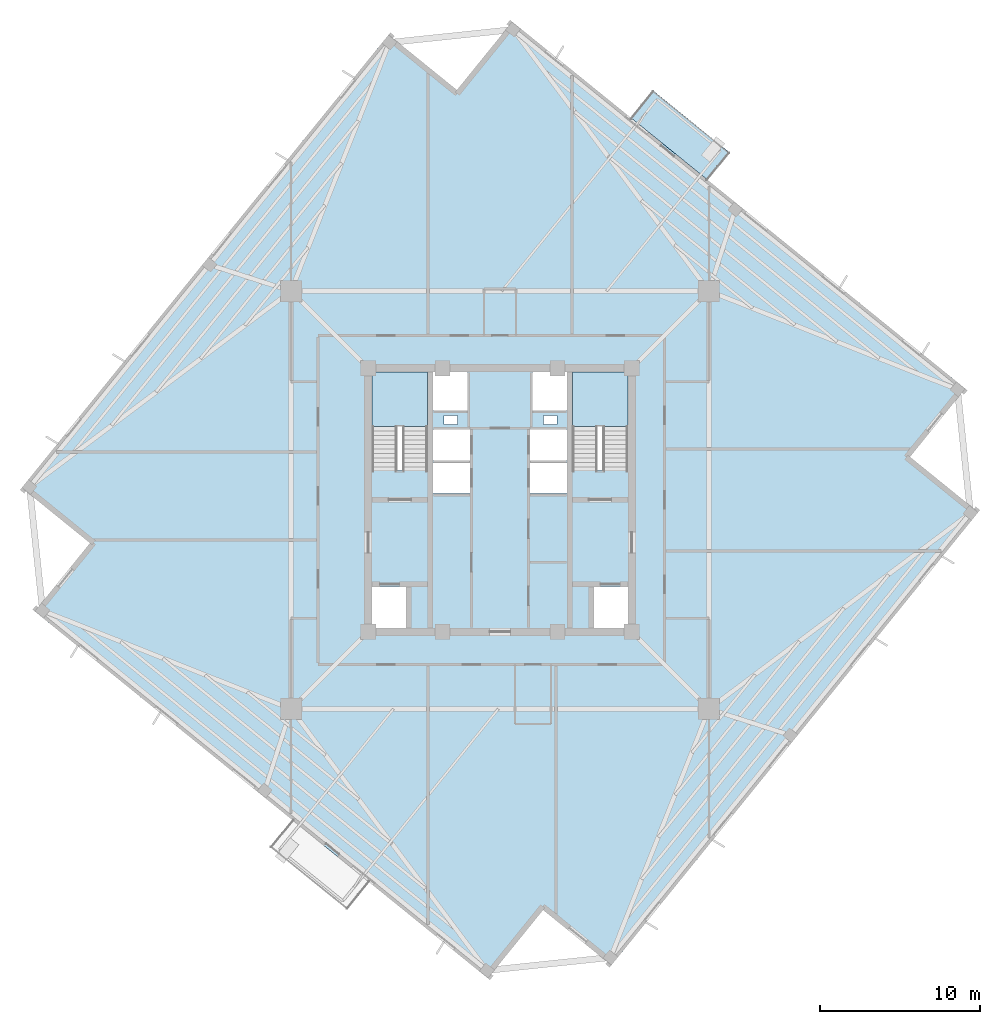
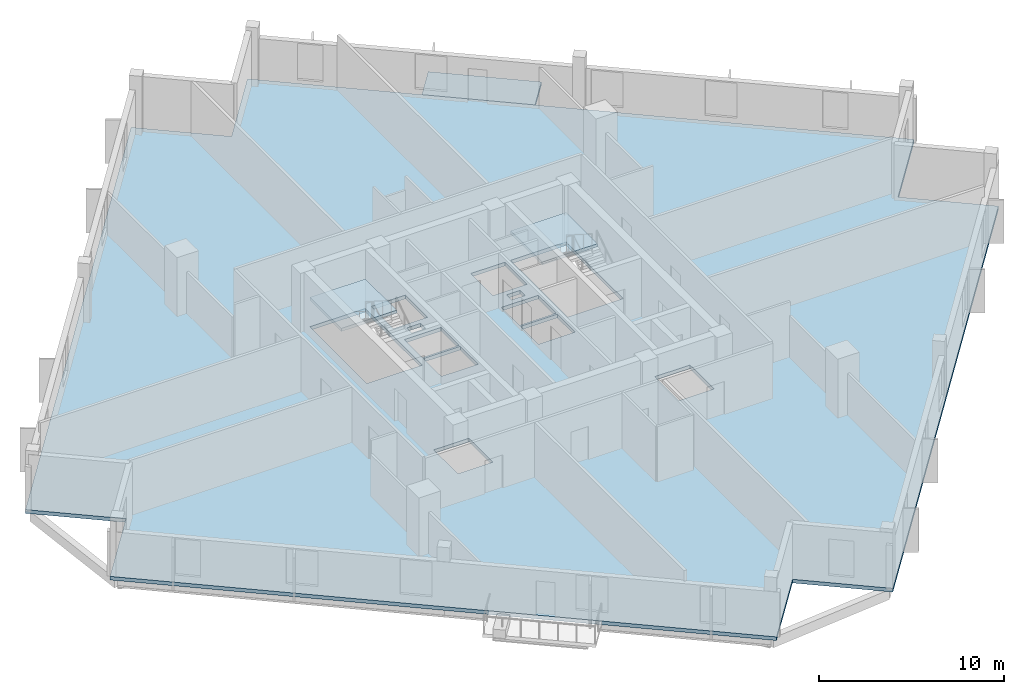
# One storey, part 2 of 10: 4 slabs, 2 elements without a shape of their own.
"""IFC4 building model written with IfcOpenShell, lengths in metres."""

from ifc_helpers import new_model, si_unit, direction, frame, origin, place, context, subcontext, project, spatial, polyline, outline, extrude, material, layer, layer_set, type_object, element, aggregate, save


model = new_model("IFC4")

# Units and contexts
model_context = context("Model", 3, precision=1e-05, world=origin(), true_north=direction((0.0, 1.0)))
body_context = subcontext(model_context, "Body", "Model", "MODEL_VIEW")
ifc_project = project(units=[si_unit("LENGTHUNIT", "METRE"), si_unit("AREAUNIT", "SQUARE_METRE"), si_unit("VOLUMEUNIT", "CUBIC_METRE"), si_unit("PLANEANGLEUNIT", "RADIAN"), si_unit("MASSUNIT", "GRAM", prefix="KILO"), si_unit("THERMODYNAMICTEMPERATUREUNIT", "KELVIN")], contexts=[model_context])

# Site, building, storey
site_placement = place(None, origin())
site = spatial("IfcSite", under=ifc_project, at=site_placement, CompositionType="ELEMENT")
building_placement = place(site_placement, origin())
building = spatial("IfcBuilding", under=site, at=building_placement, Name="Kosmvard Interchange Tower", CompositionType="ELEMENT")
storey_placement = place(building_placement, frame((0.0, 0.0, 240.699951171875)))
storey = spatial("IfcBuildingStorey", under=building, at=storey_placement, Name="L58", CompositionType="ELEMENT", Elevation=240.699951171875)

# Slab
ifc_material = material(Name="Concrete C50/60", Category="concrete")
ifc_layer_1 = layer(ifc_material, 0.239990234375, Name="Concrete C50/60")
ifc_layer_set_1 = layer_set([ifc_layer_1], Name="Concrete C50/60")
slab_type_1 = type_object("IfcSlabType", Name="High-Rise Suite Composite Slab 240 C50/60", PredefinedType="FLOOR", material=ifc_layer_set_1)
slab_1_placement = place(storey_placement, frame((0.0, 0.0, -0.239990234375)))
element("IfcSlab", 1, at=slab_1_placement, inside=storey, type_object=slab_type_1, Name="L58 Structural Floor Slab", PredefinedType="FLOOR", context=body_context, shape_type="SweptSolid", body=[
    extrude(outline(polyline([(6.97216796875, -29.12939453125), (29.9423828125, -0.763427734375), (25.66796875, 2.69775390625), (29.12939453125, 6.97216796875), (0.763427734375, 29.9423828125), (-2.69775390625, 25.66796875), (-6.97216796875, 29.12939453125), (-29.9423828125, 0.763427734375), (-25.66796875, -2.69775390625), (-29.12939453125, -6.97216796875), (-0.763427734375, -29.9423828125), (2.69775390625, -25.66796875), (6.97216796875, -29.12939453125)]), holes=[polyline([(-8.0, 1.8349609375), (-4.5400390625, 1.8349609375), (-4.5400390625, 8.0), (-8.0, 8.0), (-8.0, 1.8349609375)]), polyline([(4.5400390625, 1.8349609375), (8.0, 1.8349609375), (8.0, 8.0), (4.5400390625, 8.0), (4.5400390625, 1.8349609375)]), polyline([(-8.0, -8.0), (-5.800048828125, -8.0), (-5.800048828125, -5.39990234375), (-8.0, -5.39990234375), (-8.0, -8.0)]), polyline([(5.800048828125, -8.0), (8.0, -8.0), (8.0, -5.39990234375), (5.800048828125, -5.39990234375), (5.800048828125, -8.0)]), polyline([(-4.179931640625, 0.39990234375), (-1.8798828125, 0.39990234375), (-1.8798828125, 2.340087890625), (-4.179931640625, 2.340087890625), (-4.179931640625, 0.39990234375)]), polyline([(-4.179931640625, 2.4599609375), (-1.8798828125, 2.4599609375), (-1.8798828125, 4.39990234375), (-4.179931640625, 4.39990234375), (-4.179931640625, 2.4599609375)]), polyline([(1.8798828125, 0.39990234375), (4.179931640625, 0.39990234375), (4.179931640625, 2.340087890625), (1.8798828125, 2.340087890625), (1.8798828125, 0.39990234375)]), polyline([(1.8798828125, 2.4599609375), (4.179931640625, 2.4599609375), (4.179931640625, 4.39990234375), (1.8798828125, 4.39990234375), (1.8798828125, 2.4599609375)]), polyline([(-4.179931640625, 5.60009765625), (-2.0400390625, 5.60009765625), (-2.0400390625, 8.0), (-4.179931640625, 8.0), (-4.179931640625, 5.60009765625)]), polyline([(2.0400390625, 5.60009765625), (4.179931640625, 5.60009765625), (4.179931640625, 8.0), (2.0400390625, 8.0), (2.0400390625, 5.60009765625)]), polyline([(-3.514892578125, 4.739990234375), (-2.6650390625, 4.739990234375), (-2.6650390625, 5.2900390625), (-3.514892578125, 5.2900390625), (-3.514892578125, 4.739990234375)]), polyline([(2.715087890625, 4.739990234375), (3.56494140625, 4.739990234375), (3.56494140625, 5.2900390625), (2.715087890625, 5.2900390625), (2.715087890625, 4.739990234375)])]), origin(), (0.0, 0.0, 1.0), 0.239990234375),
])

# Stair, slab
stair_type = type_object("IfcStairType", Name="Dog-Leg Core Exit Stair H3900 C50/60", PredefinedType="HALF_TURN_STAIR", material=ifc_material)
stair_1_placement = place(storey_placement, origin())
stair_1 = element("IfcStair", 2, at=stair_1_placement, inside=storey, type_object=stair_type, Name="L58 Protected Exit Stair ST-1", PredefinedType="HALF_TURN_STAIR")
ifc_layer_2 = layer(ifc_material, 0.199951171875, Name="Concrete C50/60")
ifc_layer_set_2 = layer_set([ifc_layer_2], Name="Concrete C50/60")
slab_type_2 = type_object("IfcSlabType", Name="Stair Half-Landing Slab 200 C50/60", PredefinedType="LANDING", material=ifc_layer_set_2)
slab_2_placement = place(storey_placement, frame((0.0, 0.0, 1.75)))
slab_2 = element("IfcSlab", 3, at=slab_2_placement, type_object=slab_type_2, Name="ST-1 landing 1", PredefinedType="LANDING", context=body_context, shape_type="SweptSolid", body=[
    extrude(outline(polyline([(-4.5400390625, 4.60009765625), (-4.5400390625, 8.0), (-8.0, 8.0), (-8.0, 4.60009765625), (-4.5400390625, 4.60009765625)])), origin(), (0.0, 0.0, 1.0), 0.199951171875),
])
aggregate(stair_1, [slab_2])

stair_2_placement = place(storey_placement, origin())
stair_2 = element("IfcStair", 4, at=stair_2_placement, inside=storey, type_object=stair_type, Name="L58 Protected Exit Stair ST-2", PredefinedType="HALF_TURN_STAIR")
slab_3_placement = place(storey_placement, frame((0.0, 0.0, 1.75)))
slab_3 = element("IfcSlab", 5, at=slab_3_placement, type_object=slab_type_2, Name="ST-2 landing 1", PredefinedType="LANDING", context=body_context, shape_type="SweptSolid", body=[
    extrude(outline(polyline([(8.0, 4.60009765625), (8.0, 8.0), (4.5400390625, 8.0), (4.5400390625, 4.60009765625), (8.0, 4.60009765625)])), origin(), (0.0, 0.0, 1.0), 0.199951171875),
])
aggregate(stair_2, [slab_3])

# Slab
ifc_layer_3 = layer(ifc_material, 0.22998046875, Name="Concrete C50/60")
ifc_layer_set_3 = layer_set([ifc_layer_3], Name="Concrete C50/60")
slab_type_3 = type_object("IfcSlabType", Name="Tree-Planter Cantilever Balcony Slab 230 C50/60", PredefinedType="FLOOR", material=ifc_layer_set_3)
slab_4_placement = place(storey_placement, frame((0.0, 0.0, -0.22998046875)))
element("IfcSlab", 6, at=slab_4_placement, inside=storey, type_object=slab_type_3, Name="L58 Outdoor Terrace Balcony Slab BAL-L58-E", PredefinedType="FLOOR", context=body_context, shape_type="SweptSolid", body=[
    extrude(outline(polyline([(13.00341796875, 20.030517578125), (14.387939453125, 21.740234375), (9.569580078125, 25.64208984375), (8.185302734375, 23.932373046875), (13.00341796875, 20.030517578125)])), origin(), (0.0, 0.0, 1.0), 0.22998046875),
])

save(model, "model.ifc")
